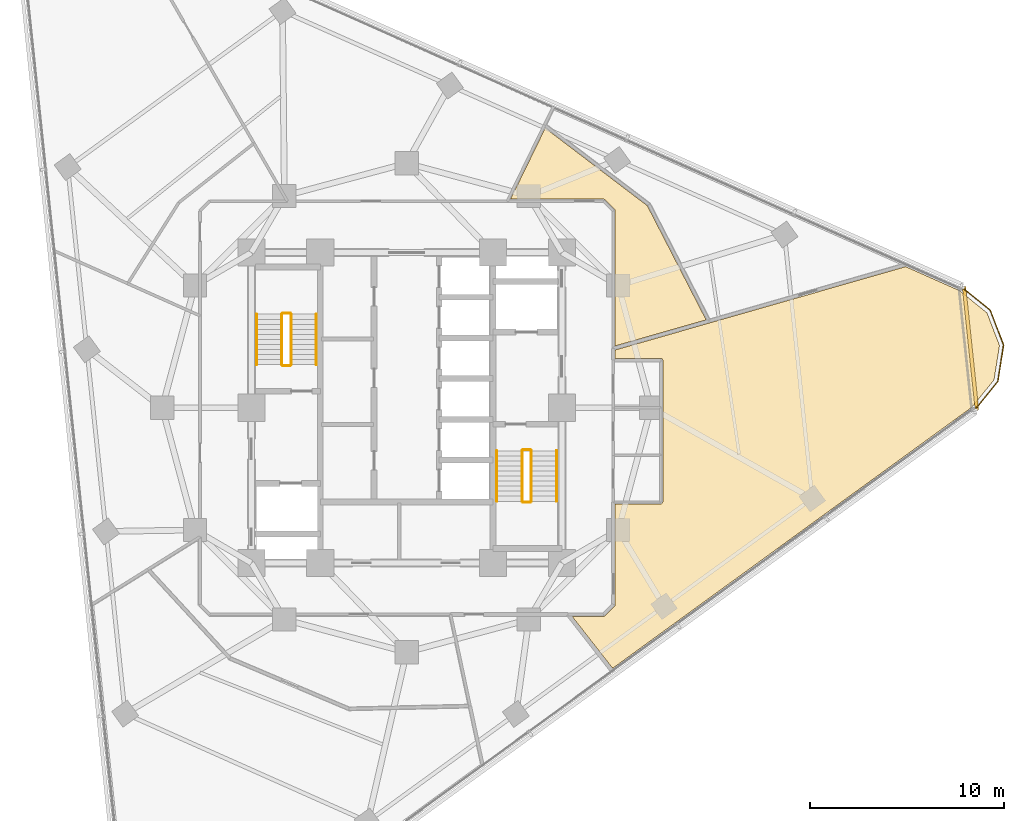
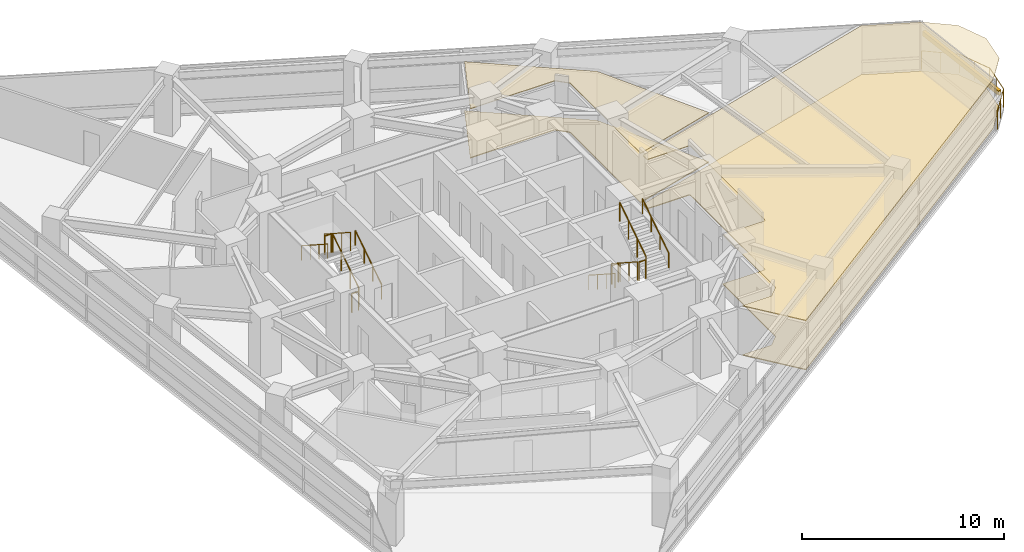
# One storey, part 13 of 14: 13 railings, 4 coverings, 1 shading device.
"""IFC4 building model written with IfcOpenShell, lengths in metres."""

from ifc_helpers import new_model, si_unit, direction, frame, origin, origin_2d, place, context, subcontext, project, spatial, polyline, rectangle, circle, outline, extrude, material, layer, layer_set, type_object, element, save


model = new_model("IFC4")

# Units and contexts
model_context = context("Model", 3, precision=1e-05, world=origin(), true_north=direction((0.0, 1.0)))
body_context = subcontext(model_context, "Body", "Model", "MODEL_VIEW")
ifc_project = project(units=[si_unit("LENGTHUNIT", "METRE"), si_unit("AREAUNIT", "SQUARE_METRE"), si_unit("VOLUMEUNIT", "CUBIC_METRE"), si_unit("PLANEANGLEUNIT", "RADIAN"), si_unit("MASSUNIT", "GRAM", prefix="KILO")], contexts=[model_context])

# Site, building, storey
site_placement = place(None, origin())
site = spatial("IfcSite", under=ifc_project, at=site_placement, CompositionType="ELEMENT")
building_placement = place(site_placement, origin())
building = spatial("IfcBuilding", under=site, at=building_placement, Name="Terralouvre Media Tower", CompositionType="ELEMENT")
storey_placement = place(building_placement, frame((0.0, 0.0, 162.0)))
storey = spatial("IfcBuildingStorey", under=building, at=storey_placement, Name="L41", CompositionType="ELEMENT", Elevation=162.0)

# Coverings
ifc_material_1 = material(Name="Resilient elastomer acoustic broadcast studio flooring")
ifc_layer_1 = layer(ifc_material_1, 0.050048828125, Name="Broadcast Studio Acoustic Floating Floor FL-AC1")
ifc_layer_set_1 = layer_set([ifc_layer_1], Name="Resilient elastomer acoustic broadcast studio flooring")
covering_type_1 = type_object("IfcCoveringType", Name="Broadcast Studio Acoustic Floating Floor FL-AC1", PredefinedType="FLOORING", material=ifc_layer_set_1)
covering_1_placement = place(storey_placement, frame((0.0, 0.0, 0.0), z_axis=(0.0, 0.0, 1.0), x_axis=(0.809016994375, 0.587785252292, 0.0)))
element("IfcCovering", 1, at=covering_1_placement, inside=storey, type_object=covering_type_1, Name="L41 Preview Screening Cinema 5 Acoustic Floating Floor", PredefinedType="FLOORING", context=body_context, shape_type="SweptSolid", body=[
    extrude(outline(polyline([(10.44775390625, -3.908935546875), (10.19580078125, -4.255615234375), (12.096923828125, -5.636962890625), (12.1044921875, -5.64306640625), (12.111572265625, -5.64990234375), (12.117919921875, -5.657470703125), (12.12353515625, -5.665771484375), (12.128173828125, -5.67431640625), (12.132080078125, -5.683349609375), (12.135009765625, -5.692626953125), (12.136962890625, -5.7021484375), (12.137939453125, -5.712158203125), (12.13818359375, -5.7216796875), (12.13720703125, -5.731689453125), (12.135498046875, -5.7412109375), (12.132568359375, -5.750732421875), (12.12890625, -5.759765625), (12.12451171875, -5.7685546875), (12.119140625, -5.776611328125), (7.828369140625, -11.6826171875), (7.822021484375, -11.690185546875), (7.815185546875, -11.697265625), (7.807861328125, -11.703369140625), (7.799560546875, -11.708984375), (7.791015625, -11.713623046875), (7.781982421875, -11.717529296875), (7.772705078125, -11.720458984375), (7.762939453125, -11.722412109375), (7.753173828125, -11.7236328125), (7.743408203125, -11.7236328125), (7.733642578125, -11.72265625), (7.72412109375, -11.720947265625), (7.714599609375, -11.71826171875), (7.70556640625, -11.714599609375), (7.69677734375, -11.7099609375), (7.6884765625, -11.70458984375), (5.787353515625, -10.3232421875), (2.73095703125, -14.5302734375), (2.724853515625, -14.537841796875), (2.718017578125, -14.544921875), (2.71044921875, -14.55126953125), (2.7021484375, -14.556640625), (2.693603515625, -14.561279296875), (2.6845703125, -14.565185546875), (2.67529296875, -14.568115234375), (2.665771484375, -14.570068359375), (1.96728515625, -14.680908203125), (1.95751953125, -14.681884765625), (1.94775390625, -14.681884765625), (1.93798828125, -14.68115234375), (1.92822265625, -14.67919921875), (1.918701171875, -14.676513671875), (1.90966796875, -14.6728515625), (1.901123046875, -14.668212890625), (1.892822265625, -14.662841796875), (0.5791015625, -13.70849609375), (0.697509765625, -17.10498046875), (23.571044921875, -17.105224609375), (25.335693359375, -16.63232421875), (26.60693359375, -15.36181640625), (27.072509765625, -13.6259765625), (26.598876953125, -11.860595703125), (25.084228515625, -9.236328125), (15.1982421875, -5.63818359375), (10.44775390625, -3.908935546875)])), origin(), (0.0, 0.0, 1.0), 0.050048828125),
])
covering_2_placement = place(storey_placement, frame((0.0, 0.0, 0.0), z_axis=(0.0, 0.0, 1.0), x_axis=(0.809016994375, 0.587785252292, 0.0)))
element("IfcCovering", 2, at=covering_2_placement, inside=storey, type_object=covering_type_1, Name="L41 Acoustic Music Listening Room 7 Acoustic Floating Floor", PredefinedType="FLOORING", context=body_context, shape_type="SweptSolid", body=[
    extrude(outline(polyline([(16.158203125, 1.129150390625), (14.251708984375, 7.46435546875), (10.650146484375, 5.5498046875), (14.5302734375, 2.73095703125), (14.537841796875, 2.724853515625), (14.544921875, 2.718017578125), (14.55126953125, 2.71044921875), (14.556640625, 2.7021484375), (14.561279296875, 2.693603515625), (14.565185546875, 2.6845703125), (14.568115234375, 2.67529296875), (14.570068359375, 2.665771484375), (14.680908203125, 1.96728515625), (14.681884765625, 1.95751953125), (14.681884765625, 1.94775390625), (14.68115234375, 1.93798828125), (14.67919921875, 1.92822265625), (14.676513671875, 1.918701171875), (14.6728515625, 1.90966796875), (14.668212890625, 1.901123046875), (14.662841796875, 1.892822265625), (10.570068359375, -3.740478515625), (15.152099609375, -5.408447265625), (16.158203125, 1.129150390625)])), origin(), (0.0, 0.0, 1.0), 0.050048828125),
])
ifc_material_2 = material(Name="Perforated aluminium acoustic ceiling baffle", Category="aluminium")
ifc_layer_2 = layer(ifc_material_2, 0.0400390625, Name="Perforated Acoustic Metal Tile Ceiling CL-AC1")
ifc_layer_set_2 = layer_set([ifc_layer_2], Name="Perforated aluminium acoustic ceiling baffle")
covering_type_2 = type_object("IfcCoveringType", Name="Perforated Acoustic Metal Tile Ceiling CL-AC1", PredefinedType="CEILING", material=ifc_layer_set_2)
covering_3_placement = place(storey_placement, frame((0.0, 0.0, 2.97998046875), z_axis=(0.0, 0.0, 1.0), x_axis=(0.809016994375, 0.587785252292, 0.0)))
element("IfcCovering", 3, at=covering_3_placement, inside=storey, type_object=covering_type_2, Name="L41 Preview Screening Cinema 5 Acoustic Ceiling", PredefinedType="CEILING", context=body_context, shape_type="SweptSolid", body=[
    extrude(outline(polyline([(10.44775390625, -3.908935546875), (10.19580078125, -4.255615234375), (12.096923828125, -5.636962890625), (12.1044921875, -5.64306640625), (12.111572265625, -5.64990234375), (12.117919921875, -5.657470703125), (12.12353515625, -5.665771484375), (12.128173828125, -5.67431640625), (12.132080078125, -5.683349609375), (12.135009765625, -5.692626953125), (12.136962890625, -5.7021484375), (12.137939453125, -5.712158203125), (12.13818359375, -5.7216796875), (12.13720703125, -5.731689453125), (12.135498046875, -5.7412109375), (12.132568359375, -5.750732421875), (12.12890625, -5.759765625), (12.12451171875, -5.7685546875), (12.119140625, -5.776611328125), (7.828369140625, -11.6826171875), (7.822021484375, -11.690185546875), (7.815185546875, -11.697265625), (7.807861328125, -11.703369140625), (7.799560546875, -11.708984375), (7.791015625, -11.713623046875), (7.781982421875, -11.717529296875), (7.772705078125, -11.720458984375), (7.762939453125, -11.722412109375), (7.753173828125, -11.7236328125), (7.743408203125, -11.7236328125), (7.733642578125, -11.72265625), (7.72412109375, -11.720947265625), (7.714599609375, -11.71826171875), (7.70556640625, -11.714599609375), (7.69677734375, -11.7099609375), (7.6884765625, -11.70458984375), (5.787353515625, -10.3232421875), (2.73095703125, -14.5302734375), (2.724853515625, -14.537841796875), (2.718017578125, -14.544921875), (2.71044921875, -14.55126953125), (2.7021484375, -14.556640625), (2.693603515625, -14.561279296875), (2.6845703125, -14.565185546875), (2.67529296875, -14.568115234375), (2.665771484375, -14.570068359375), (1.96728515625, -14.680908203125), (1.95751953125, -14.681884765625), (1.94775390625, -14.681884765625), (1.93798828125, -14.68115234375), (1.92822265625, -14.67919921875), (1.918701171875, -14.676513671875), (1.90966796875, -14.6728515625), (1.901123046875, -14.668212890625), (1.892822265625, -14.662841796875), (0.5791015625, -13.70849609375), (0.697509765625, -17.10498046875), (23.571044921875, -17.105224609375), (25.335693359375, -16.63232421875), (26.60693359375, -15.36181640625), (27.072509765625, -13.6259765625), (26.598876953125, -11.860595703125), (25.084228515625, -9.236328125), (15.1982421875, -5.63818359375), (10.44775390625, -3.908935546875)])), origin(), (0.0, 0.0, 1.0), 0.0400390625),
])
covering_4_placement = place(storey_placement, frame((0.0, 0.0, 2.97998046875), z_axis=(0.0, 0.0, 1.0), x_axis=(0.809016994375, 0.587785252292, 0.0)))
element("IfcCovering", 4, at=covering_4_placement, inside=storey, type_object=covering_type_2, Name="L41 Acoustic Music Listening Room 7 Acoustic Ceiling", PredefinedType="CEILING", context=body_context, shape_type="SweptSolid", body=[
    extrude(outline(polyline([(16.158203125, 1.129150390625), (14.251708984375, 7.46435546875), (10.650146484375, 5.5498046875), (14.5302734375, 2.73095703125), (14.537841796875, 2.724853515625), (14.544921875, 2.718017578125), (14.55126953125, 2.71044921875), (14.556640625, 2.7021484375), (14.561279296875, 2.693603515625), (14.565185546875, 2.6845703125), (14.568115234375, 2.67529296875), (14.570068359375, 2.665771484375), (14.680908203125, 1.96728515625), (14.681884765625, 1.95751953125), (14.681884765625, 1.94775390625), (14.68115234375, 1.93798828125), (14.67919921875, 1.92822265625), (14.676513671875, 1.918701171875), (14.6728515625, 1.90966796875), (14.668212890625, 1.901123046875), (14.662841796875, 1.892822265625), (10.570068359375, -3.740478515625), (15.152099609375, -5.408447265625), (16.158203125, 1.129150390625)])), origin(), (0.0, 0.0, 1.0), 0.0400390625),
])

# Railings
ifc_material_3 = material(Name="Stainless steel 316 handrail and balustrade", Category="steel")
ifc_layer_3 = layer(ifc_material_3, 0.06005859375, Name="Roof Edge Safety Guardrail GR-ROOF1")
ifc_layer_set_3 = layer_set([ifc_layer_3], Name="Stainless steel 316 handrail and balustrade")
railing_type_1 = type_object("IfcRailingType", Name="Roof Edge Safety Guardrail GR-ROOF1", PredefinedType="GUARDRAIL", material=ifc_layer_set_3)
railing_1_placement = place(storey_placement, frame((29.261474609375, -0.144775390625, 0.0)))
element("IfcRailing", 5, at=railing_1_placement, inside=storey, type_object=railing_type_1, Name="L41 Wind-Corner Perimeter Safety Guardrail C1", PredefinedType="GUARDRAIL", context=body_context, shape_type="SweptSolid", body=[
    extrude(circle(Radius=0.02099609375, at=origin_2d()), frame((0.0, 0.0, 1.12890625), z_axis=(0.629487951206, 0.777010244004, 0.0), x_axis=(-0.777010244004, 0.629487951206, 0.0)), (0.0, 0.0, 1.0), 1.914794921875),
    extrude(circle(Radius=0.02099609375, at=origin_2d()), frame((1.205322265625, 1.48779296875, 1.12890625), z_axis=(0.156493053434, 0.987679059324, 0.0), x_axis=(-0.987679059324, 0.156493053434, 0.0)), (0.0, 0.0, 1.0), 1.914306640625),
    extrude(circle(Radius=0.02099609375, at=origin_2d()), frame((1.5048828125, 3.37841796875, 1.12890625), z_axis=(-0.358380762009, 0.933575508152, 0.0), x_axis=(-0.933575508152, -0.358380762009, 0.0)), (0.0, 0.0, 1.0), 1.914306640625),
    extrude(circle(Radius=0.02099609375, at=origin_2d()), frame((0.81884765625, 5.16552734375, 1.12890625), z_axis=(-0.777298317119, 0.629132200896, 0.0), x_axis=(-0.629132200896, -0.777298317119, 0.0)), (0.0, 0.0, 1.0), 1.914794921875),
    extrude(circle(Radius=0.01904296875, at=origin_2d()), origin(), (0.0, 0.0, 1.0), 1.10791015625),
    extrude(circle(Radius=0.01904296875, at=origin_2d()), frame((0.6025390625, 0.743896484375, 0.0)), (0.0, 0.0, 1.0), 1.10791015625),
    extrude(circle(Radius=0.01904296875, at=origin_2d()), frame((1.205322265625, 1.48779296875, 0.0)), (0.0, 0.0, 1.0), 1.10791015625),
    extrude(circle(Radius=0.01904296875, at=origin_2d()), frame((1.35498046875, 2.43310546875, 0.0)), (0.0, 0.0, 1.0), 1.10791015625),
    extrude(circle(Radius=0.01904296875, at=origin_2d()), frame((1.5048828125, 3.37841796875, 0.0)), (0.0, 0.0, 1.0), 1.10791015625),
    extrude(circle(Radius=0.01904296875, at=origin_2d()), frame((1.161865234375, 4.27197265625, 0.0)), (0.0, 0.0, 1.0), 1.10791015625),
    extrude(circle(Radius=0.01904296875, at=origin_2d()), frame((0.81884765625, 5.16552734375, 0.0)), (0.0, 0.0, 1.0), 1.10791015625),
    extrude(circle(Radius=0.01904296875, at=origin_2d()), frame((0.07470703125, 5.767822265625, 0.0)), (0.0, 0.0, 1.0), 1.10791015625),
    extrude(circle(Radius=0.01904296875, at=origin_2d()), frame((-0.66943359375, 6.3701171875, 0.0)), (0.0, 0.0, 1.0), 1.10791015625),
])
ifc_material_4 = material(Name="Stainless steel 316 handrail and balustrade", Category="steel")
ifc_layer_4 = layer(ifc_material_4, 0.050048828125, Name="Stair Flight Wall Handrail HR-INT1")
ifc_layer_set_4 = layer_set([ifc_layer_4], Name="Stainless steel 316 handrail and balustrade")
railing_type_2 = type_object("IfcRailingType", Name="Stair Flight Wall Handrail HR-INT1", PredefinedType="HANDRAIL", material=ifc_layer_set_4)
railing_2_placement = place(storey_placement, frame((-4.64990234375, 2.219970703125, 0.168212890625)))
element("IfcRailing", 6, at=railing_2_placement, inside=storey, type_object=railing_type_2, Name="L41 ST-01 stair handrail 1", PredefinedType="HANDRAIL", context=body_context, shape_type="SweptSolid", body=[
    extrude(circle(Radius=0.02392578125, at=origin_2d()), frame((0.0, 0.0, 0.8759765625), z_axis=(0.0, 0.839648411786, 0.543130320075), x_axis=(-1.0, 0.0, 0.0)), (0.0, 0.0, 1.0), 3.0966796875),
    extrude(circle(Radius=0.02099609375, at=origin_2d()), origin(), (0.0, 0.0, 1.0), 0.851806640625),
    extrude(circle(Radius=0.02099609375, at=origin_2d()), frame((0.0, 0.86669921875, 0.560546875)), (0.0, 0.0, 1.0), 0.851806640625),
    extrude(circle(Radius=0.02099609375, at=origin_2d()), frame((0.0, 1.7333984375, 1.121337890625)), (0.0, 0.0, 1.0), 0.851806640625),
    extrude(circle(Radius=0.02099609375, at=origin_2d()), frame((0.0, 2.60009765625, 1.681884765625)), (0.0, 0.0, 1.0), 0.851806640625),
])
for number, where, name in (
    (7, (-7.72998046875, 4.820068359375, 2.01806640625), "L41 ST-01 stair handrail 2"),
    (8, (4.64990234375, -2.219970703125, 0.168212890625), "L41 ST-02 stair handrail 1"),
):
    element("IfcRailing", number, at=place(storey_placement, frame(where)), inside=storey, type_object=railing_type_2, Name=name, PredefinedType="HANDRAIL", context=body_context, shape_type="SweptSolid", body=[
        extrude(circle(Radius=0.02392578125, at=origin_2d()), frame((0.0, 0.0, 0.8759765625), z_axis=(0.0, -0.839648411786, 0.543130320075), x_axis=(1.0, 0.0, 0.0)), (0.0, 0.0, 1.0), 3.0966796875),
        extrude(circle(Radius=0.02099609375, at=origin_2d()), origin(), (0.0, 0.0, 1.0), 0.851806640625),
        extrude(circle(Radius=0.02099609375, at=origin_2d()), frame((0.0, -0.86669921875, 0.560546875)), (0.0, 0.0, 1.0), 0.851806640625),
        extrude(circle(Radius=0.02099609375, at=origin_2d()), frame((0.0, -1.7333984375, 1.121337890625)), (0.0, 0.0, 1.0), 0.851806640625),
        extrude(circle(Radius=0.02099609375, at=origin_2d()), frame((0.0, -2.60009765625, 1.681884765625)), (0.0, 0.0, 1.0), 0.851806640625),
    ])
railing_3_placement = place(storey_placement, frame((7.72998046875, -4.820068359375, 2.01806640625)))
element("IfcRailing", 9, at=railing_3_placement, inside=storey, type_object=railing_type_2, Name="L41 ST-02 stair handrail 2", PredefinedType="HANDRAIL", context=body_context, shape_type="SweptSolid", body=[
    extrude(circle(Radius=0.02392578125, at=origin_2d()), frame((0.0, 0.0, 0.8759765625), z_axis=(0.0, 0.839648411786, 0.543130320075), x_axis=(-1.0, 0.0, 0.0)), (0.0, 0.0, 1.0), 3.0966796875),
    extrude(circle(Radius=0.02099609375, at=origin_2d()), origin(), (0.0, 0.0, 1.0), 0.851806640625),
    extrude(circle(Radius=0.02099609375, at=origin_2d()), frame((0.0, 0.86669921875, 0.560546875)), (0.0, 0.0, 1.0), 0.851806640625),
    extrude(circle(Radius=0.02099609375, at=origin_2d()), frame((0.0, 1.7333984375, 1.121337890625)), (0.0, 0.0, 1.0), 0.851806640625),
    extrude(circle(Radius=0.02099609375, at=origin_2d()), frame((0.0, 2.60009765625, 1.681884765625)), (0.0, 0.0, 1.0), 0.851806640625),
])
ifc_material_5 = material(Name="Stainless steel 316 handrail and balustrade", Category="steel")
ifc_layer_5 = layer(ifc_material_5, 0.050048828125, Name="Stairwell Safety Guardrail GR-INT1")
ifc_layer_set_5 = layer_set([ifc_layer_5], Name="Stainless steel 316 handrail and balustrade")
railing_type_3 = type_object("IfcRailingType", Name="Stairwell Safety Guardrail GR-INT1", PredefinedType="GUARDRAIL", material=ifc_layer_set_5)
railing_4_placement = place(storey_placement, frame((-5.949951171875, 2.219970703125, 0.168212890625)))
element("IfcRailing", 10, at=railing_4_placement, inside=storey, type_object=railing_type_3, Name="L41 ST-01 stair guard 1", PredefinedType="GUARDRAIL", context=body_context, shape_type="SweptSolid", body=[
    extrude(circle(Radius=0.02392578125, at=origin_2d()), frame((0.0, 0.0, 1.1259765625), z_axis=(0.0, 0.839648411786, 0.543130320075), x_axis=(-1.0, 0.0, 0.0)), (0.0, 0.0, 1.0), 3.0966796875),
    extrude(circle(Radius=0.02099609375, at=origin_2d()), origin(), (0.0, 0.0, 1.0), 1.101806640625),
    extrude(circle(Radius=0.02099609375, at=origin_2d()), frame((0.0, 0.86669921875, 0.560546875)), (0.0, 0.0, 1.0), 1.101806640625),
    extrude(circle(Radius=0.02099609375, at=origin_2d()), frame((0.0, 1.7333984375, 1.121337890625)), (0.0, 0.0, 1.0), 1.101806640625),
    extrude(circle(Radius=0.02099609375, at=origin_2d()), frame((0.0, 2.60009765625, 1.681884765625)), (0.0, 0.0, 1.0), 1.101806640625),
])
railing_5_placement = place(storey_placement, frame((-6.0, 4.8701171875, 1.85009765625)))
element("IfcRailing", 11, at=railing_5_placement, inside=storey, type_object=railing_type_3, Name="L41 ST-01 stair guard 2", PredefinedType="GUARDRAIL", context=body_context, shape_type="SweptSolid", body=[
    extrude(circle(Radius=0.02392578125, at=origin_2d()), frame((0.0, 0.0, 1.1259765625), z_axis=(-1.0, 0.0, 0.0), x_axis=(0.0, -1.0, 0.0)), (0.0, 0.0, 1.0), 0.3798828125),
    extrude(circle(Radius=0.02099609375, at=origin_2d()), origin(), (0.0, 0.0, 1.0), 1.101806640625),
    extrude(circle(Radius=0.02099609375, at=origin_2d()), frame((-0.3798828125, 0.0, 0.0)), (0.0, 0.0, 1.0), 1.101806640625),
])
railing_6_placement = place(storey_placement, frame((-6.429931640625, 4.820068359375, 2.01806640625)))
element("IfcRailing", 12, at=railing_6_placement, inside=storey, type_object=railing_type_3, Name="L41 ST-01 stair guard 3", PredefinedType="GUARDRAIL", context=body_context, shape_type="SweptSolid", body=[
    extrude(circle(Radius=0.02392578125, at=origin_2d()), frame((0.0, 0.0, 1.1259765625), z_axis=(0.0, -0.839648411786, 0.543130320075), x_axis=(1.0, 0.0, 0.0)), (0.0, 0.0, 1.0), 3.0966796875),
    extrude(circle(Radius=0.02099609375, at=origin_2d()), origin(), (0.0, 0.0, 1.0), 1.101806640625),
    extrude(circle(Radius=0.02099609375, at=origin_2d()), frame((0.0, -0.86669921875, 0.560546875)), (0.0, 0.0, 1.0), 1.101806640625),
    extrude(circle(Radius=0.02099609375, at=origin_2d()), frame((0.0, -1.7333984375, 1.121337890625)), (0.0, 0.0, 1.0), 1.101806640625),
    extrude(circle(Radius=0.02099609375, at=origin_2d()), frame((0.0, -2.60009765625, 1.681884765625)), (0.0, 0.0, 1.0), 1.101806640625),
])
railing_7_placement = place(storey_placement, frame((-6.0, 2.169921875, 0.0)))
element("IfcRailing", 13, at=railing_7_placement, inside=storey, type_object=railing_type_3, Name="L41 ST-01 stair guard 4", PredefinedType="GUARDRAIL", context=body_context, shape_type="SweptSolid", body=[
    extrude(circle(Radius=0.02392578125, at=origin_2d()), frame((0.0, 0.0, 1.1259765625), z_axis=(-1.0, 0.0, 0.0), x_axis=(0.0, -1.0, 0.0)), (0.0, 0.0, 1.0), 0.3798828125),
    extrude(circle(Radius=0.02099609375, at=origin_2d()), origin(), (0.0, 0.0, 1.0), 1.101806640625),
    extrude(circle(Radius=0.02099609375, at=origin_2d()), frame((-0.3798828125, 0.0, 0.0)), (0.0, 0.0, 1.0), 1.101806640625),
])
railing_8_placement = place(storey_placement, frame((5.949951171875, -2.219970703125, 0.168212890625)))
element("IfcRailing", 14, at=railing_8_placement, inside=storey, type_object=railing_type_3, Name="L41 ST-02 stair guard 1", PredefinedType="GUARDRAIL", context=body_context, shape_type="SweptSolid", body=[
    extrude(circle(Radius=0.02392578125, at=origin_2d()), frame((0.0, 0.0, 1.1259765625), z_axis=(0.0, -0.839648411786, 0.543130320075), x_axis=(1.0, 0.0, 0.0)), (0.0, 0.0, 1.0), 3.0966796875),
    extrude(circle(Radius=0.02099609375, at=origin_2d()), origin(), (0.0, 0.0, 1.0), 1.101806640625),
    extrude(circle(Radius=0.02099609375, at=origin_2d()), frame((0.0, -0.86669921875, 0.560546875)), (0.0, 0.0, 1.0), 1.101806640625),
    extrude(circle(Radius=0.02099609375, at=origin_2d()), frame((0.0, -1.7333984375, 1.121337890625)), (0.0, 0.0, 1.0), 1.101806640625),
    extrude(circle(Radius=0.02099609375, at=origin_2d()), frame((0.0, -2.60009765625, 1.681884765625)), (0.0, 0.0, 1.0), 1.101806640625),
])
railing_9_placement = place(storey_placement, frame((6.0, -4.8701171875, 1.85009765625)))
element("IfcRailing", 15, at=railing_9_placement, inside=storey, type_object=railing_type_3, Name="L41 ST-02 stair guard 2", PredefinedType="GUARDRAIL", context=body_context, shape_type="SweptSolid", body=[
    extrude(circle(Radius=0.02392578125, at=origin_2d()), frame((0.0, 0.0, 1.1259765625), z_axis=(1.0, 0.0, 0.0), x_axis=(0.0, 1.0, 0.0)), (0.0, 0.0, 1.0), 0.3798828125),
    extrude(circle(Radius=0.02099609375, at=origin_2d()), origin(), (0.0, 0.0, 1.0), 1.101806640625),
    extrude(circle(Radius=0.02099609375, at=origin_2d()), frame((0.3798828125, 0.0, 0.0)), (0.0, 0.0, 1.0), 1.101806640625),
])
railing_10_placement = place(storey_placement, frame((6.429931640625, -4.820068359375, 2.01806640625)))
element("IfcRailing", 16, at=railing_10_placement, inside=storey, type_object=railing_type_3, Name="L41 ST-02 stair guard 3", PredefinedType="GUARDRAIL", context=body_context, shape_type="SweptSolid", body=[
    extrude(circle(Radius=0.02392578125, at=origin_2d()), frame((0.0, 0.0, 1.1259765625), z_axis=(0.0, 0.839648411786, 0.543130320075), x_axis=(-1.0, 0.0, 0.0)), (0.0, 0.0, 1.0), 3.0966796875),
    extrude(circle(Radius=0.02099609375, at=origin_2d()), origin(), (0.0, 0.0, 1.0), 1.101806640625),
    extrude(circle(Radius=0.02099609375, at=origin_2d()), frame((0.0, 0.86669921875, 0.560546875)), (0.0, 0.0, 1.0), 1.101806640625),
    extrude(circle(Radius=0.02099609375, at=origin_2d()), frame((0.0, 1.7333984375, 1.121337890625)), (0.0, 0.0, 1.0), 1.101806640625),
    extrude(circle(Radius=0.02099609375, at=origin_2d()), frame((0.0, 2.60009765625, 1.681884765625)), (0.0, 0.0, 1.0), 1.101806640625),
])
railing_11_placement = place(storey_placement, frame((6.0, -2.169921875, 0.0)))
element("IfcRailing", 17, at=railing_11_placement, inside=storey, type_object=railing_type_3, Name="L41 ST-02 stair guard 4", PredefinedType="GUARDRAIL", context=body_context, shape_type="SweptSolid", body=[
    extrude(circle(Radius=0.02392578125, at=origin_2d()), frame((0.0, 0.0, 1.1259765625), z_axis=(1.0, 0.0, 0.0), x_axis=(0.0, 1.0, 0.0)), (0.0, 0.0, 1.0), 0.3798828125),
    extrude(circle(Radius=0.02099609375, at=origin_2d()), origin(), (0.0, 0.0, 1.0), 1.101806640625),
    extrude(circle(Radius=0.02099609375, at=origin_2d()), frame((0.3798828125, 0.0, 0.0)), (0.0, 0.0, 1.0), 1.101806640625),
])

# Shading device
ifc_material_6 = material(Name="Extruded terracotta baguette sunshade louvres", Category="masonry")
shading_device_type = type_object("IfcShadingDeviceType", Name="Terracotta Baguette Sunshade Louvre Screen TB-LV1", PredefinedType="USERDEFINED", material=ifc_material_6)
shading_device_placement = place(storey_placement, frame((29.060791015625, 3.054443359375, 2.02392578125), z_axis=(0.0, 0.0, 1.0), x_axis=(-0.10452850319, 0.994521891172, 0.0)))
element("IfcShadingDevice", 18, at=shading_device_placement, inside=storey, type_object=shading_device_type, Name="CW-L41-C1 Terracotta Baguette Sunshade Louvre", ObjectType="BAGUETTE", PredefinedType="USERDEFINED", context=body_context, shape_type="SweptSolid", body=[
    extrude(rectangle(XDim=6.40869140625, YDim=0.179931640625, at=origin_2d()), origin(), (0.0, 0.0, 1.0), 0.280029296875),
])

save(model, "model.ifc")
